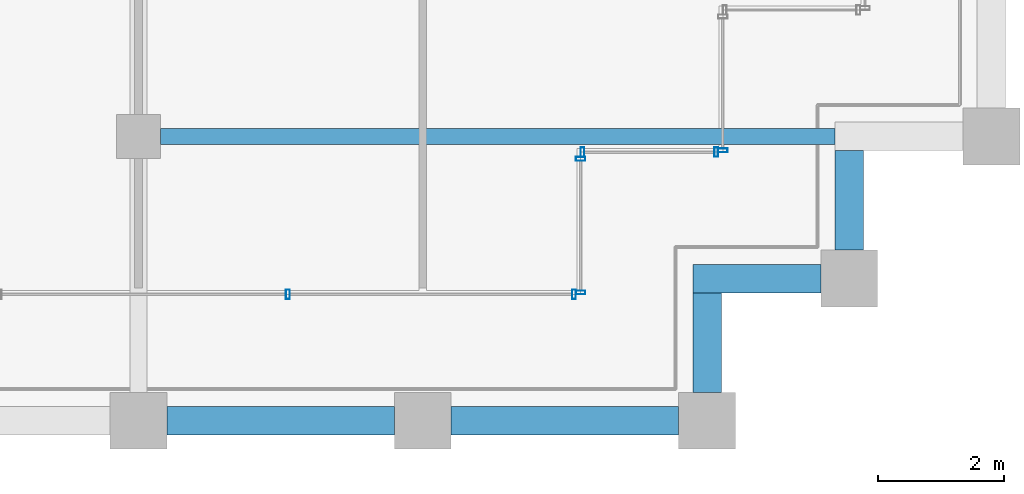
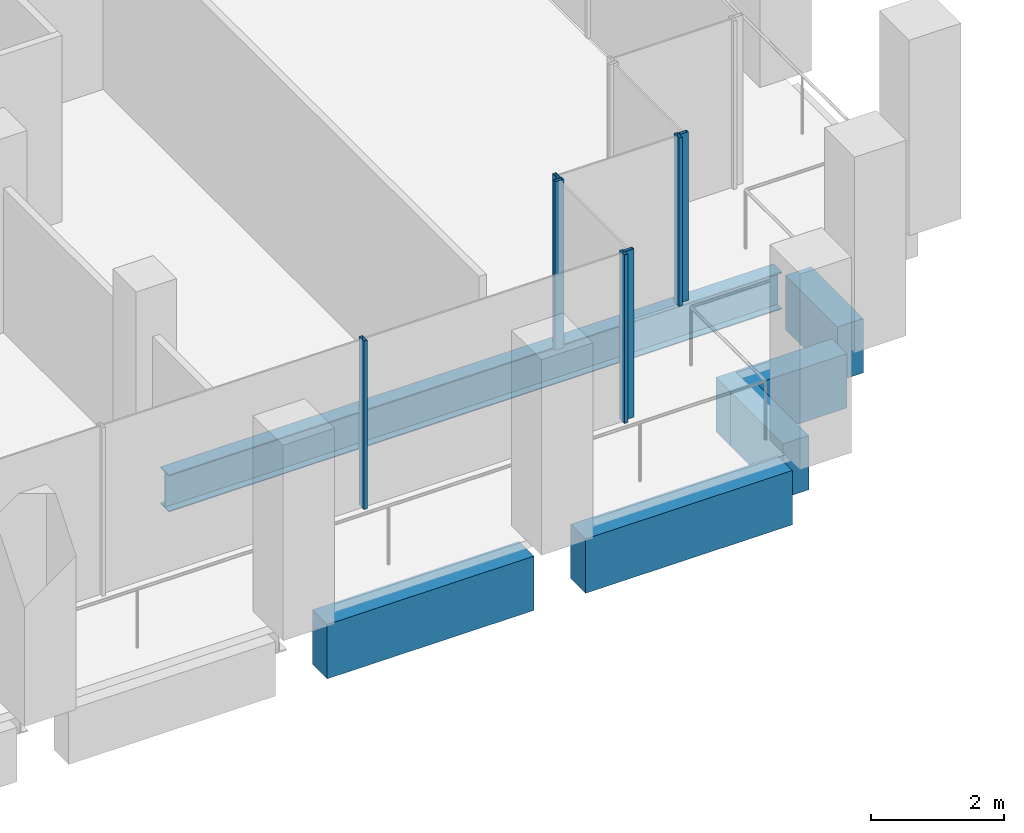
# One storey, part 12 of 40: 7 members, 6 beams, 4 elements without a shape of their own.
"""IFC4 building model written with IfcOpenShell, lengths in metres."""

from ifc_helpers import new_model, si_unit, direction, frame, origin, origin_2d, place, context, subcontext, project, spatial, rectangle, hollow_rectangle, i_section, extrude, material, material_profile, profile_set, type_object, element, aggregate, save


model = new_model("IFC4")

# Units and contexts
model_context = context("Model", 3, precision=1e-05, world=origin(), true_north=direction((0.0, 1.0)))
body_context = subcontext(model_context, "Body", "Model", "MODEL_VIEW")
ifc_project = project(units=[si_unit("LENGTHUNIT", "METRE"), si_unit("AREAUNIT", "SQUARE_METRE"), si_unit("VOLUMEUNIT", "CUBIC_METRE"), si_unit("PLANEANGLEUNIT", "RADIAN"), si_unit("MASSUNIT", "GRAM", prefix="KILO")], contexts=[model_context])

# Site, building, storey
site_placement = place(None, origin())
site = spatial("IfcSite", under=ifc_project, at=site_placement, CompositionType="ELEMENT")
building_placement = place(site_placement, origin())
building = spatial("IfcBuilding", under=site, at=building_placement, Name="Altepetl Exchange Towers", CompositionType="ELEMENT")
storey_placement = place(building_placement, frame((0.0, 0.0, 172.60009765625)))
storey = spatial("IfcBuildingStorey", under=building, at=storey_placement, Name="L43", CompositionType="ELEMENT", Elevation=172.60009765625)

# Beam
ifc_material_1 = material(Name="Steel S355", Category="steel")
ifc_material_profile_1 = material_profile(ifc_material_1, i_section(OverallWidth=0.25390625, OverallDepth=0.68408203125, WebThickness=0.012451171875, FlangeThickness=0.018798828125, at=origin_2d()), Name="W27X94")
ifc_profile_set_1 = profile_set([ifc_material_profile_1], Name="Steel S355")
beam_type_1 = type_object("IfcBeamType", Name="Floor beam W27X94", PredefinedType="BEAM", material=ifc_profile_set_1)
beam_1_placement = place(storey_placement, frame((58.85009765625, 31.5, -0.4921875), z_axis=(1.0, 0.0, 0.0), x_axis=(0.0, 1.0, 0.0)))
element("IfcBeam", 1, at=beam_1_placement, inside=storey, type_object=beam_type_1, Name="bm:A:L43:006", PredefinedType="BEAM", context=body_context, shape_type="SweptSolid", body=[
    extrude(i_section(OverallWidth=0.25390625, OverallDepth=0.68408203125, WebThickness=0.012451171875, FlangeThickness=0.018798828125, at=origin_2d()), origin(), (0.0, 0.0, 1.0), 10.6748046875),
])

# Curtain wall, members
ifc_material_2 = material(Name="Aluminium 6063-T6 glazing", Category="aluminium")
curtain_wall_type = type_object("IfcCurtainWallType", Name="Loggia glazing system", PredefinedType="NOTDEFINED", material=ifc_material_2)
curtain_wall_1_placement = place(storey_placement, origin())
curtain_wall_1 = element("IfcCurtainWall", 2, at=curtain_wall_1_placement, inside=storey, type_object=curtain_wall_type, Name="CW1 run", PredefinedType="NOTDEFINED")
ifc_material_3 = material(Name="Aluminium 6063-T6", Category="aluminium")
ifc_material_profile_2 = material_profile(ifc_material_3, hollow_rectangle(XDim=0.06005859375, YDim=0.14990234375, WallThickness=0.0029296875, at=origin_2d()), Name="Mullion 60x150 aluminium")
ifc_profile_set_2 = profile_set([ifc_material_profile_2], Name="Aluminium 6063-T6")
member_type = type_object("IfcMemberType", Name="Mullion 60x150 aluminium", PredefinedType="MULLION", material=ifc_profile_set_2)
member_1_placement = place(storey_placement, frame((60.8642578125, 29.0, 0.0)))
member_1 = element("IfcMember", 3, at=member_1_placement, type_object=member_type, Name="MU1 mullion", PredefinedType="MULLION", context=body_context, shape_type="SweptSolid", body=[
    extrude(hollow_rectangle(XDim=0.06005859375, YDim=0.14990234375, WallThickness=0.0029296875, at=origin_2d()), origin(), (0.0, 0.0, 1.0), 3.099853515625),
])
member_2_placement = place(storey_placement, frame((65.39501953125, 29.0, 0.0)))
member_2 = element("IfcMember", 4, at=member_2_placement, type_object=member_type, Name="MU1 mullion", PredefinedType="MULLION", context=body_context, shape_type="SweptSolid", body=[
    extrude(hollow_rectangle(XDim=0.06005859375, YDim=0.14990234375, WallThickness=0.0029296875, at=origin_2d()), origin(), (0.0, 0.0, 1.0), 3.099853515625),
])
aggregate(curtain_wall_1, [member_1, member_2])

curtain_wall_2_placement = place(storey_placement, origin())
curtain_wall_2 = element("IfcCurtainWall", 5, at=curtain_wall_2_placement, inside=storey, type_object=curtain_wall_type, Name="CW1 run", PredefinedType="NOTDEFINED")
member_3_placement = place(storey_placement, frame((65.5, 29.030029296875, 0.0), z_axis=(0.0, 0.0, 1.0), x_axis=(0.0, 1.0, 0.0)))
member_3 = element("IfcMember", 6, at=member_3_placement, type_object=member_type, Name="MU1 mullion", PredefinedType="MULLION", context=body_context, shape_type="SweptSolid", body=[
    extrude(hollow_rectangle(XDim=0.06005859375, YDim=0.14990234375, WallThickness=0.0029296875, at=origin_2d()), origin(), (0.0, 0.0, 1.0), 3.099853515625),
])
member_4_placement = place(storey_placement, frame((65.5, 31.14501953125, 0.0), z_axis=(0.0, 0.0, 1.0), x_axis=(0.0, 1.0, 0.0)))
member_4 = element("IfcMember", 7, at=member_4_placement, type_object=member_type, Name="MU1 mullion", PredefinedType="MULLION", context=body_context, shape_type="SweptSolid", body=[
    extrude(hollow_rectangle(XDim=0.06005859375, YDim=0.14990234375, WallThickness=0.0029296875, at=origin_2d()), origin(), (0.0, 0.0, 1.0), 3.099853515625),
])
aggregate(curtain_wall_2, [member_3, member_4])

curtain_wall_3_placement = place(storey_placement, origin())
curtain_wall_3 = element("IfcCurtainWall", 8, at=curtain_wall_3_placement, inside=storey, type_object=curtain_wall_type, Name="CW1 run", PredefinedType="NOTDEFINED")
member_5_placement = place(storey_placement, frame((65.530029296875, 31.25, 0.0)))
member_5 = element("IfcMember", 9, at=member_5_placement, type_object=member_type, Name="MU1 mullion", PredefinedType="MULLION", context=body_context, shape_type="SweptSolid", body=[
    extrude(hollow_rectangle(XDim=0.06005859375, YDim=0.14990234375, WallThickness=0.0029296875, at=origin_2d()), origin(), (0.0, 0.0, 1.0), 3.099853515625),
])
member_6_placement = place(storey_placement, frame((67.64501953125, 31.25, 0.0)))
member_6 = element("IfcMember", 10, at=member_6_placement, type_object=member_type, Name="MU1 mullion", PredefinedType="MULLION", context=body_context, shape_type="SweptSolid", body=[
    extrude(hollow_rectangle(XDim=0.06005859375, YDim=0.14990234375, WallThickness=0.0029296875, at=origin_2d()), origin(), (0.0, 0.0, 1.0), 3.099853515625),
])
aggregate(curtain_wall_3, [member_5, member_6])

# Curtain wall, member
curtain_wall_4_placement = place(storey_placement, origin())
curtain_wall_4 = element("IfcCurtainWall", 11, at=curtain_wall_4_placement, inside=storey, type_object=curtain_wall_type, Name="CW1 run", PredefinedType="NOTDEFINED")
member_7_placement = place(storey_placement, frame((67.75, 31.280029296875, 0.0), z_axis=(0.0, 0.0, 1.0), x_axis=(0.0, 1.0, 0.0)))
member_7 = element("IfcMember", 12, at=member_7_placement, type_object=member_type, Name="MU1 mullion", PredefinedType="MULLION", context=body_context, shape_type="SweptSolid", body=[
    extrude(hollow_rectangle(XDim=0.06005859375, YDim=0.14990234375, WallThickness=0.0029296875, at=origin_2d()), origin(), (0.0, 0.0, 1.0), 3.099853515625),
])
aggregate(curtain_wall_4, [member_7])

# Beams
ifc_material_4 = material(Name="Concrete C50/60 precast with cantera amarilla facing", Category="concrete")
ifc_material_profile_3 = material_profile(ifc_material_4, rectangle(XDim=0.449951171875, YDim=1.0, at=origin_2d()), Name="450 x 1000")
ifc_profile_set_3 = profile_set([ifc_material_profile_3], Name="Concrete C50/60 precast with cantera amarilla facing")
beam_type_2 = type_object("IfcBeamType", Name="Spandrel beam 450x1000 cantera amarilla", PredefinedType="SPANDREL", material=ifc_profile_set_3)
for number, where, z_axis, x_axis, name in (
    (13, (58.949951171875, 27.0, -0.650146484375), (1.0, 0.0, 0.0), (0.0, 1.0, 0.0), "sp:A:L43:006"),
    (14, (63.449951171875, 27.0, -0.650146484375), (1.0, 0.0, 0.0), (0.0, 1.0, 0.0), "sp:A:L43:007"),
):
    element("IfcBeam", number, at=place(storey_placement, frame(where, z_axis=z_axis, x_axis=x_axis)), inside=storey, type_object=beam_type_2, Name=name, PredefinedType="SPANDREL", context=body_context, shape_type="SweptSolid", body=[
        extrude(rectangle(XDim=0.449951171875, YDim=1.0, at=origin_2d()), origin(), (0.0, 0.0, 1.0), 3.60009765625),
    ])
beam_2_placement = place(storey_placement, frame((67.5, 27.449951171875, -0.650146484375), z_axis=(0.0, 1.0, 0.0), x_axis=(-1.0, 0.0, 0.0)))
element("IfcBeam", 15, at=beam_2_placement, inside=storey, type_object=beam_type_2, Name="sp:A:L43:008", PredefinedType="SPANDREL", context=body_context, shape_type="SweptSolid", body=[
    extrude(rectangle(XDim=0.449951171875, YDim=1.0, at=origin_2d()), origin(), (0.0, 0.0, 1.0), 1.574951171875),
])
beam_3_placement = place(storey_placement, frame((67.27490234375, 29.25, -0.650146484375), z_axis=(1.0, 0.0, 0.0), x_axis=(0.0, 1.0, 0.0)))
element("IfcBeam", 16, at=beam_3_placement, inside=storey, type_object=beam_type_2, Name="sp:A:L43:009", PredefinedType="SPANDREL", context=body_context, shape_type="SweptSolid", body=[
    extrude(rectangle(XDim=0.449951171875, YDim=1.0, at=origin_2d()), origin(), (0.0, 0.0, 1.0), 2.025146484375),
])
beam_4_placement = place(storey_placement, frame((69.75, 29.699951171875, -0.650146484375), z_axis=(0.0, 1.0, 0.0), x_axis=(-1.0, 0.0, 0.0)))
element("IfcBeam", 17, at=beam_4_placement, inside=storey, type_object=beam_type_2, Name="sp:A:L43:010", PredefinedType="SPANDREL", context=body_context, shape_type="SweptSolid", body=[
    extrude(rectangle(XDim=0.449951171875, YDim=1.0, at=origin_2d()), origin(), (0.0, 0.0, 1.0), 1.574951171875),
])

save(model, "model.ifc")
